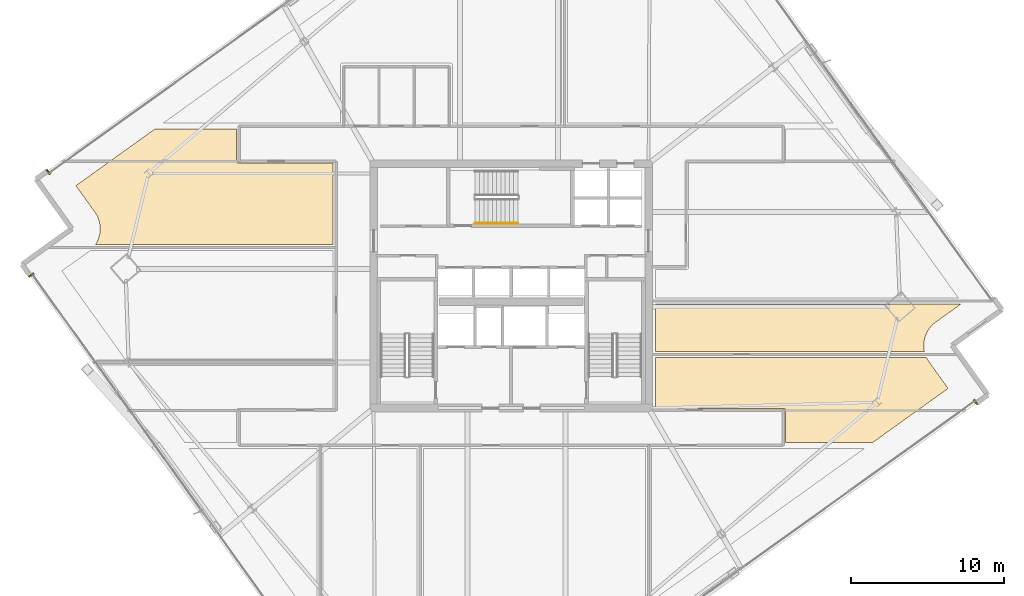
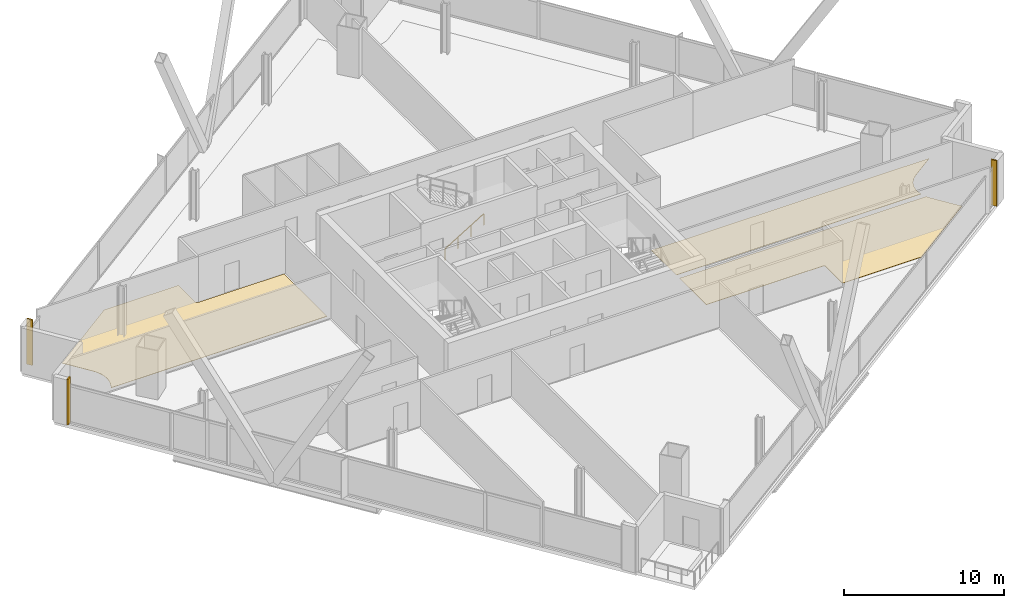
# One storey, part 31 of 33: 6 coverings, 1 railing.
"""IFC4 building model written with IfcOpenShell, lengths in metres."""

from ifc_helpers import new_model, si_unit, direction, frame, origin, origin_2d, place, context, subcontext, project, spatial, polyline, rectangle, outline, extrude, source, transform, mapped, material, layer, layer_set, type_object, element, save


model = new_model("IFC4")

# Units and contexts
model_context = context("Model", 3, precision=1e-05, world=origin(), true_north=direction((0.0, 1.0)))
body_context = subcontext(model_context, "Body", "Model", "MODEL_VIEW")
ifc_project = project(units=[si_unit("LENGTHUNIT", "METRE"), si_unit("AREAUNIT", "SQUARE_METRE"), si_unit("VOLUMEUNIT", "CUBIC_METRE"), si_unit("PLANEANGLEUNIT", "RADIAN"), si_unit("MASSUNIT", "GRAM", prefix="KILO")], contexts=[model_context])

# Site, building, storey
site_placement = place(None, origin())
site = spatial("IfcSite", under=ifc_project, at=site_placement, CompositionType="ELEMENT")
building_placement = place(site_placement, origin())
building = spatial("IfcBuilding", under=site, at=building_placement, Name="Haldenkirk Collegiate Tower", CompositionType="ELEMENT")
storey_placement = place(building_placement, frame((0.0, 0.0, 148.199951171875)))
storey = spatial("IfcBuildingStorey", under=building, at=storey_placement, Name="L36", CompositionType="ELEMENT", Elevation=148.199951171875)

# Coverings
ifc_material_1 = material(Name="Polished collegiate terrazzo", Category="concrete")
ifc_layer_1 = layer(ifc_material_1, 0.02490234375)
ifc_layer_set_1 = layer_set([ifc_layer_1], Name="Polished collegiate terrazzo")
covering_type_1 = type_object("IfcCoveringType", Name="COV-FLOOR-TERRAZZO", PredefinedType="FLOORING", material=ifc_layer_set_1)
covering_1_placement = place(storey_placement, origin())
element("IfcCovering", 1, at=covering_1_placement, inside=storey, type_object=covering_type_1, Name="L36 academic room finish 10", PredefinedType="FLOORING", context=body_context, shape_type="SweptSolid", body=[
    extrude(outline(polyline([(63.19677734375, 21.300048828125), (63.26171875, 21.173583984375), (63.267578125, 21.16357421875), (63.36083984375, 21.019287109375), (63.364013671875, 21.014404296875), (64.60546875, 19.283447265625), (59.67919921875, 15.75), (53.969970703125, 15.75), (53.969970703125, 17.85009765625), (53.969482421875, 17.86181640625), (53.9677734375, 17.873291015625), (53.96484375, 17.884765625), (53.9609375, 17.89599609375), (53.955810546875, 17.906494140625), (53.94970703125, 17.916748046875), (53.94287109375, 17.926025390625), (53.934814453125, 17.934814453125), (53.926025390625, 17.94287109375), (53.916748046875, 17.94970703125), (53.906494140625, 17.955810546875), (53.89599609375, 17.9609375), (53.884765625, 17.96484375), (53.873291015625, 17.9677734375), (53.86181640625, 17.969482421875), (53.85009765625, 17.969970703125), (45.449951171875, 17.969970703125), (45.449951171875, 21.300048828125), (63.19677734375, 21.300048828125)])), origin(), (0.0, 0.0, 1.0), 0.025146484375),
])
ifc_material_2 = material(Name="Engineered collegiate oak acoustic flooring", Category="wood")
ifc_layer_2 = layer(ifc_material_2, 0.02197265625)
ifc_layer_set_2 = layer_set([ifc_layer_2], Name="Engineered collegiate oak acoustic flooring")
covering_type_2 = type_object("IfcCoveringType", Name="COV-FLOOR-TIMBER", PredefinedType="FLOORING", material=ifc_layer_set_2)
covering_2_placement = place(storey_placement, origin())
element("IfcCovering", 2, at=covering_2_placement, inside=storey, type_object=covering_type_2, Name="L36 academic room finish 09", PredefinedType="FLOORING", context=body_context, shape_type="SweptSolid", body=[
    extrude(outline(polyline([(8.78955078125, 28.699951171875), (8.818115234375, 28.741455078125), (8.824462890625, 28.75146484375), (8.90771484375, 28.901611328125), (8.9130859375, 28.912353515625), (8.981201171875, 29.06982421875), (8.9853515625, 29.080810546875), (9.037841796875, 29.244384765625), (9.041015625, 29.255859375), (9.076904296875, 29.423828125), (9.078857421875, 29.435302734375), (9.098388671875, 29.60595703125), (9.099365234375, 29.61767578125), (9.10205078125, 29.789306640625), (9.1015625, 29.801025390625), (9.08740234375, 29.972412109375), (9.0859375, 29.98388671875), (9.05517578125, 30.15283203125), (9.052490234375, 30.164306640625), (9.00537109375, 30.32958984375), (9.00146484375, 30.3408203125), (8.938232421875, 30.50048828125), (8.933349609375, 30.510986328125), (8.85498046875, 30.663818359375), (8.84912109375, 30.674072265625), (8.755859375, 30.818359375), (8.75244140625, 30.8232421875), (7.510986328125, 32.553955078125), (12.6640625, 36.25), (18.030029296875, 36.25), (18.030029296875, 34.14990234375), (18.030517578125, 34.13818359375), (18.0322265625, 34.126708984375), (18.03515625, 34.115234375), (18.0390625, 34.10400390625), (18.044189453125, 34.093505859375), (18.05029296875, 34.083251953125), (18.05712890625, 34.073974609375), (18.065185546875, 34.065185546875), (18.073974609375, 34.05712890625), (18.083251953125, 34.05029296875), (18.093505859375, 34.044189453125), (18.10400390625, 34.0390625), (18.115234375, 34.03515625), (18.126708984375, 34.0322265625), (18.13818359375, 34.030517578125), (18.14990234375, 34.030029296875), (24.35009765625, 34.030029296875), (24.35009765625, 28.699951171875), (8.78955078125, 28.699951171875)])), origin(), (0.0, 0.0, 1.0), 0.02197265625),
])
covering_3_placement = place(storey_placement, origin())
element("IfcCovering", 3, at=covering_3_placement, inside=storey, type_object=covering_type_2, Name="L36 academic room finish 11", PredefinedType="FLOORING", context=body_context, shape_type="SweptSolid", body=[
    extrude(outline(polyline([(63.05859375, 21.699951171875), (45.449951171875, 21.699951171875), (45.449951171875, 24.800048828125), (65.43359375, 24.800048828125), (63.793701171875, 23.623779296875), (63.7890625, 23.6201171875), (63.654541015625, 23.513427734375), (63.645751953125, 23.505615234375), (63.522216796875, 23.385986328125), (63.51416015625, 23.37744140625), (63.4033203125, 23.24658203125), (63.39599609375, 23.2373046875), (63.29833984375, 23.095947265625), (63.292236328125, 23.0859375), (63.208740234375, 22.935791015625), (63.20361328125, 22.92529296875), (63.135498046875, 22.767578125), (63.131103515625, 22.756591796875), (63.07861328125, 22.593017578125), (63.07568359375, 22.58154296875), (63.03955078125, 22.413818359375), (63.03759765625, 22.402099609375), (63.01806640625, 22.231689453125), (63.017333984375, 22.2197265625), (63.0146484375, 22.048095703125), (63.014892578125, 22.036376953125), (63.029052734375, 21.865234375), (63.030517578125, 21.853515625), (63.05859375, 21.699951171875)])), origin(), (0.0, 0.0, 1.0), 0.02197265625),
])

# Railing
ifc_material_3 = material(Name="Painted architectural tubular steel", Category="steel")
railing_type = type_object("IfcRailingType", Name="RLG-STAIR-HANDRAIL-900", PredefinedType="HANDRAIL", material=ifc_material_3)
railing_placement = place(storey_placement, frame((33.64990234375, 30.10009765625, 0.17041015625)))
element("IfcRailing", 4, at=railing_placement, inside=storey, type_object=railing_type, Name="L36 ST-3 stair handrail 1", PredefinedType="HANDRAIL", context=body_context, shape_type="SweptSolid", body=[
    extrude(rectangle(XDim=0.048095703125, YDim=0.048095703125, at=origin_2d()), frame((0.0, 0.0, 0.8759765625), z_axis=(0.854169791009, 0.0, 0.51999420009), x_axis=(0.0, 1.0, 0.0)), (0.0, 0.0, 1.0), 3.278076171875),
    extrude(rectangle(XDim=0.0419921875, YDim=0.0419921875, at=origin_2d()), origin(), (0.0, 0.0, 1.0), 0.851806640625),
    extrude(rectangle(XDim=0.0419921875, YDim=0.0419921875, at=origin_2d()), frame((0.933349609375, 0.0, 0.568115234375)), (0.0, 0.0, 1.0), 0.851806640625),
    extrude(rectangle(XDim=0.0419921875, YDim=0.0419921875, at=origin_2d()), frame((1.86669921875, 0.0, 1.136474609375)), (0.0, 0.0, 1.0), 0.851806640625),
    extrude(rectangle(XDim=0.0419921875, YDim=0.0419921875, at=origin_2d()), frame((2.800048828125, 0.0, 1.70458984375)), (0.0, 0.0, 1.0), 0.851806640625),
])

# Coverings
ifc_material_4 = material(Name="Anodised architectural bronze aluminium", Category="aluminium")
ifc_layer_3 = layer(ifc_material_4, 0.06005859375)
ifc_layer_set_3 = layer_set([ifc_layer_3], Name="Anodised architectural bronze aluminium")
covering_type_3 = type_object("IfcCoveringType", Name="COV-CLAD-BRONZE-60", PredefinedType="CLADDING", material=ifc_layer_set_3)
shared_shape = source(origin(), body_context, "Body", "SweptSolid", [
    extrude(rectangle(XDim=0.10009765625, YDim=0.3798828125, at=origin_2d()), origin(), (0.0, 0.0, 1.0), 3.4599609375),
])
for number, where, z_axis, x_axis, name in (
    (5, (66.40673828125, 18.385009765625, 0.0), (0.0, 0.0, 1.0), (-0.812592453382, -0.582832312683, 0.0), "L36 recessed curtain-wall bronze jamb closure SJL"),
    (6, (5.709716796875, 33.45263671875, 0.0), (0.0, 0.0, 1.0), (0.812592453382, 0.582832312683, 0.0), "L36 recessed curtain-wall bronze jamb closure NJL"),
    (7, (4.59765625, 26.69873046875, 0.0), (0.0, 0.0, 1.0), (-0.582832312683, 0.812592453382, 0.0), "L36 recessed curtain-wall bronze jamb closure WJR"),
):
    element("IfcCovering", number, at=place(storey_placement, frame(where, z_axis=z_axis, x_axis=x_axis)), inside=storey, type_object=covering_type_3, Name=name, PredefinedType="CLADDING", context=body_context, shape_type="MappedRepresentation", body=[
        mapped(shared_shape, transform((0.0, 0.0, 0.0), x_axis=(1.0, 0.0, 0.0), y_axis=(0.0, 1.0, 0.0), z_axis=(0.0, 0.0, 1.0), scale=1.0)),
    ])

save(model, "model.ifc")
